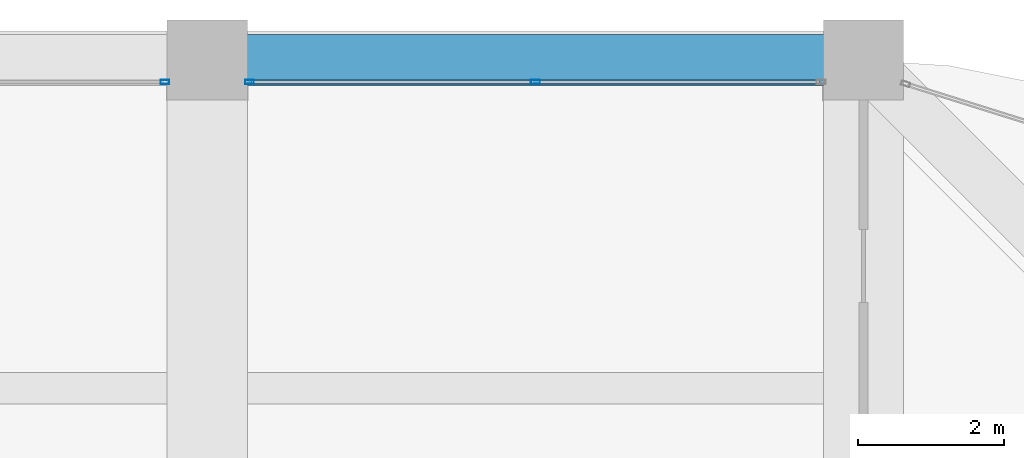
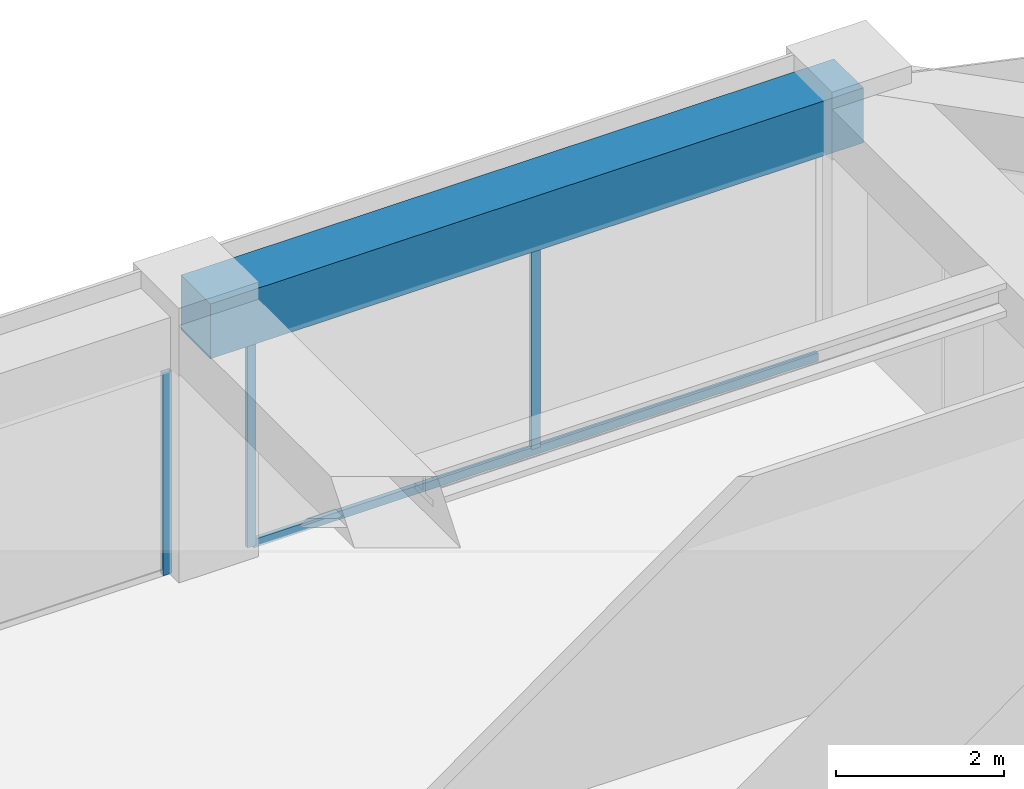
# One storey, part 35 of 44: 4 members, 1 beam, 2 elements without a shape of their own.
"""IFC4 building model written with IfcOpenShell, lengths in metres."""

from ifc_helpers import new_model, si_unit, direction, frame, origin, origin_2d, place, context, subcontext, project, spatial, rectangle, hollow_rectangle, extrude, material, material_profile, profile_set, type_object, element, aggregate, save


model = new_model("IFC4")

# Units and contexts
model_context = context("Model", 3, precision=1e-05, world=origin(), true_north=direction((0.0, 1.0)))
body_context = subcontext(model_context, "Body", "Model", "MODEL_VIEW")
ifc_project = project(units=[si_unit("LENGTHUNIT", "METRE"), si_unit("AREAUNIT", "SQUARE_METRE"), si_unit("VOLUMEUNIT", "CUBIC_METRE"), si_unit("PLANEANGLEUNIT", "RADIAN"), si_unit("MASSUNIT", "GRAM", prefix="KILO")], contexts=[model_context])

# Site, building, storey
site_placement = place(None, origin())
site = spatial("IfcSite", under=ifc_project, at=site_placement, CompositionType="ELEMENT")
building_placement = place(site_placement, origin())
building = spatial("IfcBuilding", under=site, at=building_placement, Name="Zorevar Civic Tower", CompositionType="ELEMENT")
storey_placement = place(building_placement, frame((0.0, 0.0, 267.39990234375)))
storey = spatial("IfcBuildingStorey", under=building, at=storey_placement, Name="L65", CompositionType="ELEMENT", Elevation=267.39990234375)

# Curtain wall, member
ifc_material_1 = material(Name="Dark grey solar-control glass in black aluminium frame", Category="aluminium")
curtain_wall_type = type_object("IfcCurtainWallType", Name="Curtain wall CW5 top zone", PredefinedType="NOTDEFINED", material=ifc_material_1)
curtain_wall_1_placement = place(storey_placement, origin())
curtain_wall_1 = element("IfcCurtainWall", 1, at=curtain_wall_1_placement, inside=storey, type_object=curtain_wall_type, Name="CW5 L65", PredefinedType="NOTDEFINED")
ifc_material_2 = material(Name="Aluminium, black anodised", Category="aluminium")
ifc_material_profile_1 = material_profile(ifc_material_2, hollow_rectangle(XDim=0.06005859375, YDim=0.1201171875, WallThickness=0.0029296875, at=origin_2d()), Name="AL 120x60x3")
ifc_profile_set_1 = profile_set([ifc_material_profile_1], Name="Aluminium, black anodised")
member_type_1 = type_object("IfcMemberType", Name="CW5 mullion AL 120x60x3", PredefinedType="MULLION", material=ifc_profile_set_1)
member_1_placement = place(storey_placement, frame((35.419921875, 44.699951171875, 0.0), z_axis=(0.0, 0.0, 1.0), x_axis=(0.0, 1.0, 0.0)))
member_1 = element("IfcMember", 2, at=member_1_placement, type_object=member_type_1, Name="CW5 mullion 3", PredefinedType="MULLION", context=body_context, shape_type="SweptSolid", body=[
    extrude(hollow_rectangle(XDim=0.06005859375, YDim=0.1201171875, WallThickness=0.0029296875, at=origin_2d()), origin(), (0.0, 0.0, 1.0), 2.9501953125),
])
aggregate(curtain_wall_1, [member_1])

# Curtain wall, members
curtain_wall_2_placement = place(storey_placement, origin())
curtain_wall_2 = element("IfcCurtainWall", 3, at=curtain_wall_2_placement, inside=storey, type_object=curtain_wall_type, Name="CW5 L65", PredefinedType="NOTDEFINED")
member_2_placement = place(storey_placement, frame((36.580078125, 44.699951171875, 0.0), z_axis=(0.0, 0.0, 1.0), x_axis=(0.0, 1.0, 0.0)))
member_2 = element("IfcMember", 4, at=member_2_placement, type_object=member_type_1, Name="CW5 mullion 1", PredefinedType="MULLION", context=body_context, shape_type="SweptSolid", body=[
    extrude(hollow_rectangle(XDim=0.06005859375, YDim=0.1201171875, WallThickness=0.0029296875, at=origin_2d()), origin(), (0.0, 0.0, 1.0), 2.9501953125),
])
member_3_placement = place(storey_placement, frame((40.5, 44.699951171875, 0.06005859375), z_axis=(0.0, 0.0, 1.0), x_axis=(0.0, 1.0, 0.0)))
member_3 = element("IfcMember", 5, at=member_3_placement, type_object=member_type_1, Name="CW5 mullion 2", PredefinedType="MULLION", context=body_context, shape_type="SweptSolid", body=[
    extrude(hollow_rectangle(XDim=0.06005859375, YDim=0.1201171875, WallThickness=0.0029296875, at=origin_2d()), origin(), (0.0, 0.0, 1.0), 2.89013671875),
])
ifc_material_3 = material(Name="Aluminium, black anodised", Category="aluminium")
ifc_material_profile_2 = material_profile(ifc_material_3, hollow_rectangle(XDim=0.06005859375, YDim=0.1201171875, WallThickness=0.0029296875, at=origin_2d()), Name="AL 120x60x3")
ifc_profile_set_2 = profile_set([ifc_material_profile_2], Name="Aluminium, black anodised")
member_type_2 = type_object("IfcMemberType", Name="CW5 transom AL 120x60x3", PredefinedType="USERDEFINED", material=ifc_profile_set_2)
member_4_placement = place(storey_placement, frame((36.610107421875, 44.699951171875, 0.030029296875), z_axis=(1.0, 0.0, 0.0), x_axis=(0.0, 1.0, 0.0)))
member_4 = element("IfcMember", 6, at=member_4_placement, type_object=member_type_2, Name="CW5 sill transom", ObjectType="TRANSOM", PredefinedType="USERDEFINED", context=body_context, shape_type="SweptSolid", body=[
    extrude(hollow_rectangle(XDim=0.06005859375, YDim=0.1201171875, WallThickness=0.0029296875, at=origin_2d()), origin(), (0.0, 0.0, 1.0), 7.77978515625),
])
aggregate(curtain_wall_2, [member_2, member_3, member_4])

# Beam
ifc_material_4 = material(Name="Concrete C50/60", Category="concrete")
ifc_material_profile_3 = material_profile(ifc_material_4, rectangle(XDim=0.699951171875, YDim=0.800048828125, at=origin_2d()), Name="RC 700x800")
ifc_profile_set_3 = profile_set([ifc_material_profile_3], Name="Concrete C50/60")
beam_type = type_object("IfcBeamType", Name="Edge beam RC 700x800", PredefinedType="SPANDREL", material=ifc_profile_set_3)
beam_placement = place(storey_placement, frame((36.0, 45.0, 3.35009765625), z_axis=(1.0, 0.0, 0.0), x_axis=(0.0, 1.0, 0.0)))
element("IfcBeam", 7, at=beam_placement, inside=storey, type_object=beam_type, Name="Edge beam L66", PredefinedType="SPANDREL", context=body_context, shape_type="SweptSolid", body=[
    extrude(rectangle(XDim=0.699951171875, YDim=0.800048828125, at=origin_2d()), origin(), (0.0, 0.0, 1.0), 9.0),
])

save(model, "model.ifc")
